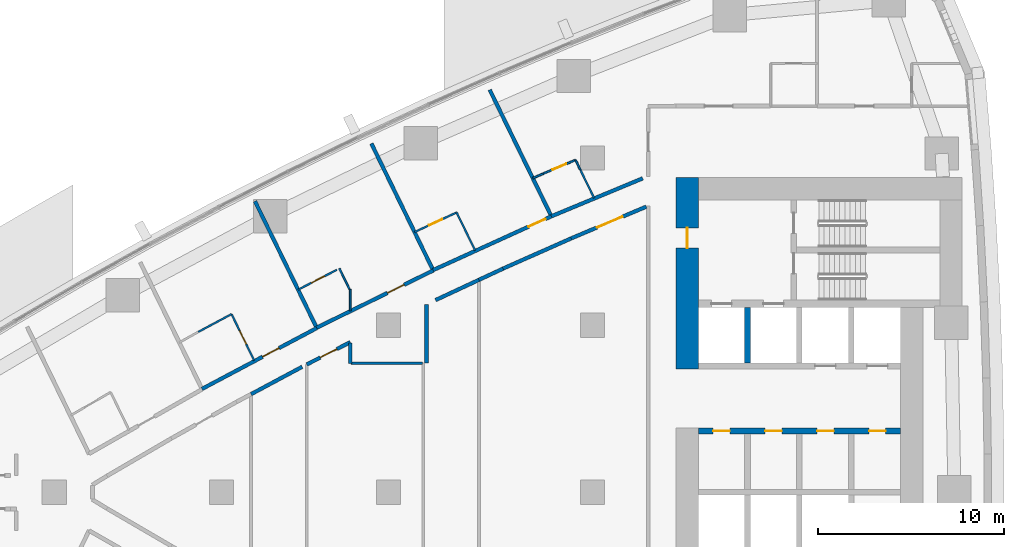
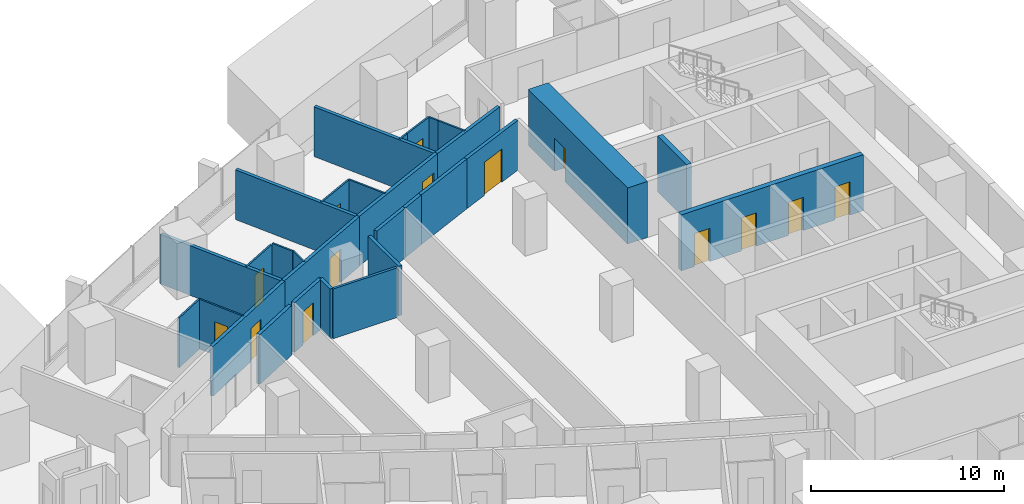
# One storey, part 12 of 19: 30 walls, 14 doors, 14 openings.
"""IFC4 building model written with IfcOpenShell, lengths in metres."""

from ifc_helpers import new_model, si_unit, direction, frame, frame_2d, origin, place, context, subcontext, project, spatial, rectangle, extrude, material, layer, layer_set, type_object, element, fill, save


model = new_model("IFC4")

# Units and contexts
model_context = context("Model", 3, precision=1e-05, world=origin(), true_north=direction((0.0, 1.0)))
body_context = subcontext(model_context, "Body", "Model", "MODEL_VIEW")
ifc_project = project(units=[si_unit("LENGTHUNIT", "METRE"), si_unit("AREAUNIT", "SQUARE_METRE"), si_unit("VOLUMEUNIT", "CUBIC_METRE"), si_unit("PLANEANGLEUNIT", "RADIAN"), si_unit("MASSUNIT", "GRAM", prefix="KILO")], contexts=[model_context])

# Site, building, storey
site_placement = place(None, origin())
site = spatial("IfcSite", under=ifc_project, at=site_placement, CompositionType="ELEMENT")
building_placement = place(site_placement, origin())
building = spatial("IfcBuilding", under=site, at=building_placement, Name="Ostrand Prow Hotel Tower", CompositionType="ELEMENT")
storey_placement = place(building_placement, frame((0.0, 0.0, 71.550048828125)))
storey = spatial("IfcBuildingStorey", under=building, at=storey_placement, Name="L16", CompositionType="ELEMENT", Elevation=71.550048828125)

# Wall, opening, door
ifc_material_1 = material(Name="Concrete C80/95", Category="concrete")
ifc_layer_1 = layer(ifc_material_1, 1.199951171875)
ifc_layer_set_1 = layer_set([ifc_layer_1], Name="Concrete C80/95")
wall_type_1 = type_object("IfcWallType", Name="Core wall 1200 C80/95", PredefinedType="SHEAR", material=ifc_layer_set_1)
wall_1_placement = place(storey_placement, frame((50.10009765625, 6.64990234375, 0.0), z_axis=(0.0, 0.0, 1.0), x_axis=(0.0, 1.0, 0.0)))
wall_1 = element("IfcWall", 1, at=wall_1_placement, inside=storey, type_object=wall_type_1, Name="Core wall CW-W-N", PredefinedType="SHEAR", context=body_context, shape_type="SweptSolid", body=[
    extrude(rectangle(XDim=10.300048828125, YDim=1.199951171875, at=frame_2d((5.14990234375, 0.0))), origin(), (0.0, 0.0, 1.0), 3.550048828125),
])
opening_1_placement = place(wall_1_placement, frame((6.5, 0.0, 0.0)))
opening_1 = element("IfcOpeningElement", 2, at=opening_1_placement, cuts=wall_1, Name="Opening FD1", PredefinedType="OPENING", context=body_context, shape_type="SweptSolid", body=[
    extrude(rectangle(XDim=1.10009765625, YDim=2.10009765625, at=frame_2d((0.550048828125, 1.050048828125))), frame((0.0, 0.60986328125, 0.0), z_axis=(0.0, -1.0, 0.0), x_axis=(1.0, 0.0, 0.0)), (0.0, 0.0, 1.0), 1.219970703125),
])
ifc_material_2 = material(Name="Steel fire door", Category="steel")
door_type_1 = type_object("IfcDoorType", Name="Fire door 1100 EI120", OperationType="SINGLE_SWING_RIGHT", PredefinedType="DOOR", material=ifc_material_2)
door_1_placement = place(opening_1_placement, origin())
door_1 = element("IfcDoor", 3, at=door_1_placement, inside=storey, type_object=door_type_1, Name="FIRE DOOR", OperationType="SINGLE_SWING_RIGHT", OverallHeight=2.10009765625, OverallWidth=1.10009765625, PredefinedType="DOOR", context=body_context, shape_type="SweptSolid", body=[
    extrude(rectangle(XDim=1.10009765625, YDim=2.10009765625, at=frame_2d((0.550048828125, 1.050048828125))), frame((0.0, 0.02490234375, 0.0), z_axis=(0.0, -1.0, 0.0), x_axis=(1.0, 0.0, 0.0)), (0.0, 0.0, 1.0), 0.050048828125),
])
fill(opening_1, door_1)

# Wall, openings, doors
ifc_material_3 = material(Name="Concrete C80/95", Category="concrete")
ifc_layer_2 = layer(ifc_material_3, 0.300048828125)
ifc_layer_set_2 = layer_set([ifc_layer_2], Name="Concrete C80/95")
wall_type_2 = type_object("IfcWallType", Name="Core wall 300 C80/95", PredefinedType="SHEAR", material=ifc_layer_set_2)
wall_2_placement = place(storey_placement, frame((50.699951171875, 3.300048828125, 0.0), z_axis=(0.0, 0.0, 1.0), x_axis=(1.0, 0.0, 0.0)))
wall_2 = element("IfcWall", 4, at=wall_2_placement, inside=storey, type_object=wall_type_2, Name="Core wall PW-L1-N", PredefinedType="SHEAR", context=body_context, shape_type="SweptSolid", body=[
    extrude(rectangle(XDim=10.900146484375, YDim=0.300048828125, at=frame_2d((5.4501953125, 0.0))), origin(), (0.0, 0.0, 1.0), 3.550048828125),
])
opening_2_placement = place(wall_2_placement, frame((0.800048828125, 0.0, 0.0)))
opening_2 = element("IfcOpeningElement", 5, at=opening_2_placement, cuts=wall_2, Name="Opening FD2", PredefinedType="OPENING", context=body_context, shape_type="SweptSolid", body=[
    extrude(rectangle(XDim=0.89990234375, YDim=2.10009765625, at=frame_2d((0.449951171875, 1.050048828125))), frame((0.0, 0.159912109375, 0.0), z_axis=(0.0, -1.0, 0.0), x_axis=(1.0, 0.0, 0.0)), (0.0, 0.0, 1.0), 0.320068359375),
])
opening_3_placement = place(wall_2_placement, frame((3.60009765625, 0.0, 0.0)))
opening_3 = element("IfcOpeningElement", 6, at=opening_3_placement, cuts=wall_2, Name="Opening FD2", PredefinedType="OPENING", context=body_context, shape_type="SweptSolid", body=[
    extrude(rectangle(XDim=0.89990234375, YDim=2.10009765625, at=frame_2d((0.449951171875, 1.050048828125))), frame((0.0, 0.159912109375, 0.0), z_axis=(0.0, -1.0, 0.0), x_axis=(1.0, 0.0, 0.0)), (0.0, 0.0, 1.0), 0.320068359375),
])
opening_4_placement = place(wall_2_placement, frame((6.39990234375, 0.0, 0.0)))
opening_4 = element("IfcOpeningElement", 7, at=opening_4_placement, cuts=wall_2, Name="Opening FD2", PredefinedType="OPENING", context=body_context, shape_type="SweptSolid", body=[
    extrude(rectangle(XDim=0.89990234375, YDim=2.10009765625, at=frame_2d((0.449951171875, 1.050048828125))), frame((0.0, 0.159912109375, 0.0), z_axis=(0.0, -1.0, 0.0), x_axis=(1.0, 0.0, 0.0)), (0.0, 0.0, 1.0), 0.320068359375),
])
opening_5_placement = place(wall_2_placement, frame((9.199951171875, 0.0, 0.0)))
opening_5 = element("IfcOpeningElement", 8, at=opening_5_placement, cuts=wall_2, Name="Opening FD2", PredefinedType="OPENING", context=body_context, shape_type="SweptSolid", body=[
    extrude(rectangle(XDim=0.89990234375, YDim=2.10009765625, at=frame_2d((0.449951171875, 1.050048828125))), frame((0.0, 0.159912109375, 0.0), z_axis=(0.0, -1.0, 0.0), x_axis=(1.0, 0.0, 0.0)), (0.0, 0.0, 1.0), 0.320068359375),
])
ifc_material_4 = material(Name="Steel fire door", Category="steel")
door_type_2 = type_object("IfcDoorType", Name="Fire door 900 EI120", OperationType="SINGLE_SWING_LEFT", PredefinedType="DOOR", material=ifc_material_4)
door_2_placement = place(opening_2_placement, origin())
door_2 = element("IfcDoor", 9, at=door_2_placement, inside=storey, type_object=door_type_2, Name="DOOR", OperationType="SINGLE_SWING_LEFT", OverallHeight=2.10009765625, OverallWidth=0.89990234375, PredefinedType="DOOR", context=body_context, shape_type="SweptSolid", body=[
    extrude(rectangle(XDim=0.89990234375, YDim=2.10009765625, at=frame_2d((0.449951171875, 1.050048828125))), frame((0.0, 0.02490234375, 0.0), z_axis=(0.0, -1.0, 0.0), x_axis=(1.0, 0.0, 0.0)), (0.0, 0.0, 1.0), 0.050048828125),
])
fill(opening_2, door_2)
door_3_placement = place(opening_3_placement, origin())
door_3 = element("IfcDoor", 10, at=door_3_placement, inside=storey, type_object=door_type_2, Name="DOOR", OperationType="SINGLE_SWING_LEFT", OverallHeight=2.10009765625, OverallWidth=0.89990234375, PredefinedType="DOOR", context=body_context, shape_type="SweptSolid", body=[
    extrude(rectangle(XDim=0.89990234375, YDim=2.10009765625, at=frame_2d((0.449951171875, 1.050048828125))), frame((0.0, 0.02490234375, 0.0), z_axis=(0.0, -1.0, 0.0), x_axis=(1.0, 0.0, 0.0)), (0.0, 0.0, 1.0), 0.050048828125),
])
fill(opening_3, door_3)
door_4_placement = place(opening_4_placement, origin())
door_4 = element("IfcDoor", 11, at=door_4_placement, inside=storey, type_object=door_type_2, Name="DOOR", OperationType="SINGLE_SWING_LEFT", OverallHeight=2.10009765625, OverallWidth=0.89990234375, PredefinedType="DOOR", context=body_context, shape_type="SweptSolid", body=[
    extrude(rectangle(XDim=0.89990234375, YDim=2.10009765625, at=frame_2d((0.449951171875, 1.050048828125))), frame((0.0, 0.02490234375, 0.0), z_axis=(0.0, -1.0, 0.0), x_axis=(1.0, 0.0, 0.0)), (0.0, 0.0, 1.0), 0.050048828125),
])
fill(opening_4, door_4)
door_5_placement = place(opening_5_placement, origin())
door_5 = element("IfcDoor", 12, at=door_5_placement, inside=storey, type_object=door_type_2, Name="DOOR", OperationType="SINGLE_SWING_LEFT", OverallHeight=2.10009765625, OverallWidth=0.89990234375, PredefinedType="DOOR", context=body_context, shape_type="SweptSolid", body=[
    extrude(rectangle(XDim=0.89990234375, YDim=2.10009765625, at=frame_2d((0.449951171875, 1.050048828125))), frame((0.0, 0.02490234375, 0.0), z_axis=(0.0, -1.0, 0.0), x_axis=(1.0, 0.0, 0.0)), (0.0, 0.0, 1.0), 0.050048828125),
])
fill(opening_5, door_5)

# Walls
wall_3_placement = place(storey_placement, frame((53.35009765625, 6.949951171875, 0.0), z_axis=(0.0, 0.0, 1.0), x_axis=(0.0, 1.0, 0.0)))
element("IfcWall", 13, at=wall_3_placement, inside=storey, type_object=wall_type_2, Name="Core wall PW-R1-NA", PredefinedType="SHEAR", context=body_context, shape_type="SweptSolid", body=[
    extrude(rectangle(XDim=3.0, YDim=0.300048828125, at=frame_2d((1.5, 0.0))), origin(), (0.0, 0.0, 1.0), 3.550048828125),
])
ifc_material_5 = material(Name="Plasterboard partition")
ifc_layer_3 = layer(ifc_material_5, 0.10009765625)
ifc_layer_set_3 = layer_set([ifc_layer_3], Name="Plasterboard partition")
wall_type_3 = type_object("IfcWallType", Name="Partition 100 bathroom wall", PredefinedType="PARTITIONING", material=ifc_layer_set_3)
wall_4_placement = place(storey_placement, frame((23.7529296875, 8.635498046875, 0.0), z_axis=(0.0, 0.0, 1.0), x_axis=(0.881675736231, 0.471855800156, 0.0)))
element("IfcWall", 14, at=wall_4_placement, inside=storey, type_object=wall_type_3, Name="BATHROOM WALL", PredefinedType="PARTITIONING", context=body_context, shape_type="SweptSolid", body=[
    extrude(rectangle(XDim=2.03857421875, YDim=0.10009765625, at=frame_2d((1.019287109375, 0.0))), origin(), (0.0, 0.0, 1.0), 3.14990234375),
])

# Wall, opening, door
wall_5_placement = place(storey_placement, frame((25.55029296875, 9.597412109375, 0.0), z_axis=(0.0, 0.0, 1.0), x_axis=(0.43822975423, -0.898862994292, 0.0)))
wall_5 = element("IfcWall", 15, at=wall_5_placement, inside=storey, type_object=wall_type_3, Name="BATHROOM WALL", PredefinedType="PARTITIONING", context=body_context, shape_type="SweptSolid", body=[
    extrude(rectangle(XDim=2.77880859375, YDim=0.10009765625, at=frame_2d((1.389404296875, 0.0))), origin(), (0.0, 0.0, 1.0), 3.14990234375),
])
opening_6_placement = place(wall_5_placement, frame((1.0, 0.0, 0.0)))
opening_6 = element("IfcOpeningElement", 16, at=opening_6_placement, cuts=wall_5, Name="Opening D2", PredefinedType="OPENING", context=body_context, shape_type="SweptSolid", body=[
    extrude(rectangle(XDim=0.800048828125, YDim=2.10009765625, at=frame_2d((0.39990234375, 1.050048828125))), frame((0.0, 0.06005859375, 0.0), z_axis=(0.0, -1.0, 0.0), x_axis=(1.0, 0.0, 0.0)), (0.0, 0.0, 1.0), 0.1201171875),
])
ifc_material_6 = material(Name="Timber door leaf", Category="wood")
door_type_3 = type_object("IfcDoorType", Name="Bathroom door 800", OperationType="SINGLE_SWING_LEFT", PredefinedType="DOOR", material=ifc_material_6)
door_6_placement = place(opening_6_placement, origin())
door_6 = element("IfcDoor", 17, at=door_6_placement, inside=storey, type_object=door_type_3, Name="DOOR", OperationType="SINGLE_SWING_LEFT", OverallHeight=2.10009765625, OverallWidth=0.800048828125, PredefinedType="DOOR", context=body_context, shape_type="SweptSolid", body=[
    extrude(rectangle(XDim=0.800048828125, YDim=2.10009765625, at=frame_2d((0.39990234375, 1.050048828125))), frame((0.0, 0.02490234375, 0.0), z_axis=(0.0, -1.0, 0.0), x_axis=(1.0, 0.0, 0.0)), (0.0, 0.0, 1.0), 0.050048828125),
])
fill(opening_6, door_6)

wall_6_placement = place(storey_placement, frame((29.13623046875, 10.91357421875, 0.0), z_axis=(0.0, 0.0, 1.0), x_axis=(0.890219804082, 0.45553122881, 0.0)))
wall_6 = element("IfcWall", 18, at=wall_6_placement, inside=storey, type_object=wall_type_3, Name="BATHROOM WALL", PredefinedType="PARTITIONING", context=body_context, shape_type="SweptSolid", body=[
    extrude(rectangle(XDim=2.3544921875, YDim=0.10009765625, at=frame_2d((1.17724609375, 0.0))), origin(), (0.0, 0.0, 1.0), 3.14990234375),
])
opening_7_placement = place(wall_6_placement, frame((0.800048828125, 0.0, 0.0)))
opening_7 = element("IfcOpeningElement", 19, at=opening_7_placement, cuts=wall_6, Name="Opening D2", PredefinedType="OPENING", context=body_context, shape_type="SweptSolid", body=[
    extrude(rectangle(XDim=0.800048828125, YDim=2.10009765625, at=frame_2d((0.39990234375, 1.050048828125))), frame((0.0, 0.06005859375, 0.0), z_axis=(0.0, -1.0, 0.0), x_axis=(1.0, 0.0, 0.0)), (0.0, 0.0, 1.0), 0.1201171875),
])
door_7_placement = place(opening_7_placement, origin())
door_7 = element("IfcDoor", 20, at=door_7_placement, inside=storey, type_object=door_type_3, Name="DOOR", OperationType="SINGLE_SWING_LEFT", OverallHeight=2.10009765625, OverallWidth=0.800048828125, PredefinedType="DOOR", context=body_context, shape_type="SweptSolid", body=[
    extrude(rectangle(XDim=0.800048828125, YDim=2.10009765625, at=frame_2d((0.39990234375, 1.050048828125))), frame((0.0, 0.02490234375, 0.0), z_axis=(0.0, -1.0, 0.0), x_axis=(1.0, 0.0, 0.0)), (0.0, 0.0, 1.0), 0.050048828125),
])
fill(opening_7, door_7)

# Wall
wall_7_placement = place(storey_placement, frame((31.36328125, 12.05029296875, 0.0), z_axis=(0.0, 0.0, 1.0), x_axis=(0.438356099343, -0.898801385273, 0.0)))
element("IfcWall", 21, at=wall_7_placement, inside=storey, type_object=wall_type_3, Name="BATHROOM WALL", PredefinedType="PARTITIONING", context=body_context, shape_type="SweptSolid", body=[
    extrude(rectangle(XDim=1.281982421875, YDim=0.10009765625, at=frame_2d((0.64111328125, 0.0))), origin(), (0.0, 0.0, 1.0), 3.14990234375),
])

# Wall, opening, door
wall_8_placement = place(storey_placement, frame((35.410888671875, 14.01708984375, 0.0), z_axis=(0.0, 0.0, 1.0), x_axis=(0.906317797926, 0.422596792655, 0.0)))
wall_8 = element("IfcWall", 22, at=wall_8_placement, inside=storey, type_object=wall_type_3, Name="BATHROOM WALL", PredefinedType="PARTITIONING", context=body_context, shape_type="SweptSolid", body=[
    extrude(rectangle(XDim=2.500244140625, YDim=0.10009765625, at=frame_2d((1.25, 0.0))), origin(), (0.0, 0.0, 1.0), 3.14990234375),
])
opening_8_placement = place(wall_8_placement, frame((0.85009765625, 0.0, 0.0)))
opening_8 = element("IfcOpeningElement", 23, at=opening_8_placement, cuts=wall_8, Name="Opening D2", PredefinedType="OPENING", context=body_context, shape_type="SweptSolid", body=[
    extrude(rectangle(XDim=0.800048828125, YDim=2.10009765625, at=frame_2d((0.39990234375, 1.050048828125))), frame((0.0, 0.06005859375, 0.0), z_axis=(0.0, -1.0, 0.0), x_axis=(1.0, 0.0, 0.0)), (0.0, 0.0, 1.0), 0.1201171875),
])
door_8_placement = place(opening_8_placement, origin())
door_8 = element("IfcDoor", 24, at=door_8_placement, inside=storey, type_object=door_type_3, Name="DOOR", OperationType="SINGLE_SWING_LEFT", OverallHeight=2.10009765625, OverallWidth=0.800048828125, PredefinedType="DOOR", context=body_context, shape_type="SweptSolid", body=[
    extrude(rectangle(XDim=0.800048828125, YDim=2.10009765625, at=frame_2d((0.39990234375, 1.050048828125))), frame((0.0, 0.02490234375, 0.0), z_axis=(0.0, -1.0, 0.0), x_axis=(1.0, 0.0, 0.0)), (0.0, 0.0, 1.0), 0.050048828125),
])
fill(opening_8, door_8)

# Walls
wall_9_placement = place(storey_placement, frame((37.677001953125, 15.073486328125, 0.0), z_axis=(0.0, 0.0, 1.0), x_axis=(0.43818492173, -0.89888485045, 0.0)))
element("IfcWall", 25, at=wall_9_placement, inside=storey, type_object=wall_type_3, Name="BATHROOM WALL", PredefinedType="PARTITIONING", context=body_context, shape_type="SweptSolid", body=[
    extrude(rectangle(XDim=2.277099609375, YDim=0.10009765625, at=frame_2d((1.138671875, 0.0))), origin(), (0.0, 0.0, 1.0), 3.14990234375),
])
wall_10_placement = place(storey_placement, frame((41.7841796875, 16.917724609375, 0.0), z_axis=(0.0, 0.0, 1.0), x_axis=(0.913894320415, 0.405952178357, 0.0)))
element("IfcWall", 26, at=wall_10_placement, inside=storey, type_object=wall_type_3, Name="BATHROOM WALL", PredefinedType="PARTITIONING", context=body_context, shape_type="SweptSolid", body=[
    extrude(rectangle(XDim=0.60791015625, YDim=0.10009765625, at=frame_2d((0.303955078125, 0.0))), origin(), (0.0, 0.0, 1.0), 3.14990234375),
])

# Wall, opening, door
wall_11_placement = place(storey_placement, frame((42.340087890625, 17.16455078125, 0.0), z_axis=(0.0, 0.0, 1.0), x_axis=(0.921263923232, 0.38893802045, 0.0)))
wall_11 = element("IfcWall", 27, at=wall_11_placement, inside=storey, type_object=wall_type_3, Name="BATHROOM WALL", PredefinedType="PARTITIONING", context=body_context, shape_type="SweptSolid", body=[
    extrude(rectangle(XDim=1.89501953125, YDim=0.10009765625, at=frame_2d((0.947509765625, 0.0))), origin(), (0.0, 0.0, 1.0), 3.14990234375),
])
opening_9_placement = place(wall_11_placement, frame((0.550048828125, 0.0, 0.0)))
opening_9 = element("IfcOpeningElement", 28, at=opening_9_placement, cuts=wall_11, Name="Opening D2", PredefinedType="OPENING", context=body_context, shape_type="SweptSolid", body=[
    extrude(rectangle(XDim=0.800048828125, YDim=2.10009765625, at=frame_2d((0.39990234375, 1.050048828125))), frame((0.0, 0.06005859375, 0.0), z_axis=(0.0, -1.0, 0.0), x_axis=(1.0, 0.0, 0.0)), (0.0, 0.0, 1.0), 0.1201171875),
])
door_9_placement = place(opening_9_placement, origin())
door_9 = element("IfcDoor", 29, at=door_9_placement, inside=storey, type_object=door_type_3, Name="DOOR", OperationType="SINGLE_SWING_LEFT", OverallHeight=2.10009765625, OverallWidth=0.800048828125, PredefinedType="DOOR", context=body_context, shape_type="SweptSolid", body=[
    extrude(rectangle(XDim=0.800048828125, YDim=2.10009765625, at=frame_2d((0.39990234375, 1.050048828125))), frame((0.0, 0.02490234375, 0.0), z_axis=(0.0, -1.0, 0.0), x_axis=(1.0, 0.0, 0.0)), (0.0, 0.0, 1.0), 0.050048828125),
])
fill(opening_9, door_9)

# Walls
wall_12_placement = place(storey_placement, frame((44.0859375, 17.901611328125, 0.0), z_axis=(0.0, 0.0, 1.0), x_axis=(0.438279975423, -0.898838507822, 0.0)))
element("IfcWall", 30, at=wall_12_placement, inside=storey, type_object=wall_type_3, Name="BATHROOM WALL", PredefinedType="PARTITIONING", context=body_context, shape_type="SweptSolid", body=[
    extrude(rectangle(XDim=0.602783203125, YDim=0.10009765625, at=frame_2d((0.30126953125, 0.0))), origin(), (0.0, 0.0, 1.0), 3.14990234375),
])
wall_13_placement = place(storey_placement, frame((44.354736328125, 17.35009765625, 0.0), z_axis=(0.0, 0.0, 1.0), x_axis=(0.438227394636, -0.89886414468, 0.0)))
element("IfcWall", 31, at=wall_13_placement, inside=storey, type_object=wall_type_3, Name="BATHROOM WALL", PredefinedType="PARTITIONING", context=body_context, shape_type="SweptSolid", body=[
    extrude(rectangle(XDim=1.6669921875, YDim=0.10009765625, at=frame_2d((0.83349609375, 0.0))), origin(), (0.0, 0.0, 1.0), 3.14990234375),
])
wall_14_placement = place(storey_placement, frame((31.945068359375, 10.92578125, 0.0), z_axis=(0.0, 0.0, 1.0), x_axis=(0.0, -1.0, 0.0)))
element("IfcWall", 32, at=wall_14_placement, inside=storey, type_object=wall_type_3, Name="BATHROOM WALL", PredefinedType="PARTITIONING", context=body_context, shape_type="SweptSolid", body=[
    extrude(rectangle(XDim=1.15283203125, YDim=0.10009765625, at=frame_2d((0.576416015625, 0.0))), origin(), (0.0, 0.0, 1.0), 3.14990234375),
])
ifc_material_7 = material(Name="Plasterboard partition")
ifc_layer_4 = layer(ifc_material_7, 0.14990234375)
ifc_layer_set_4 = layer_set([ifc_layer_4], Name="Plasterboard partition")
wall_type_4 = type_object("IfcWallType", Name="Partition 150 room partition", PredefinedType="PARTITIONING", material=ifc_layer_set_4)
wall_15_placement = place(storey_placement, frame((31.988525390625, 6.9453125, 0.0), z_axis=(0.0, 0.0, 1.0), x_axis=(0.999999997987, -6.3451777e-05, 0.0)))
element("IfcWall", 33, at=wall_15_placement, inside=storey, type_object=wall_type_4, Name="ROOM PARTITION", PredefinedType="PARTITIONING", context=body_context, shape_type="SweptSolid", body=[
    extrude(rectangle(XDim=3.84765625, YDim=0.14990234375, at=frame_2d((1.923828125, 0.0))), origin(), (0.0, 0.0, 1.0), 3.14990234375),
])

# Wall, opening, door
ifc_material_8 = material(Name="Plasterboard partition")
ifc_layer_5 = layer(ifc_material_8, 0.199951171875)
ifc_layer_set_5 = layer_set([ifc_layer_5], Name="Plasterboard partition")
wall_type_5 = type_object("IfcWallType", Name="Partition 200 corridor wall", PredefinedType="PARTITIONING", material=ifc_layer_set_5)
wall_16_placement = place(storey_placement, frame((23.95654296875, 5.564208984375, 0.0), z_axis=(0.0, 0.0, 1.0), x_axis=(0.883455325405, 0.468515408513, 0.0)))
wall_16 = element("IfcWall", 34, at=wall_16_placement, inside=storey, type_object=wall_type_5, Name="CORRIDOR WALL", PredefinedType="PARTITIONING", context=body_context, shape_type="SweptSolid", body=[
    extrude(rectangle(XDim=7.00390625, YDim=0.199951171875, at=frame_2d((3.501953125, 0.0))), origin(), (0.0, 0.0, 1.0), 3.14990234375),
])
opening_10_placement = place(wall_16_placement, frame((3.699951171875, 0.0, 0.0)))
opening_10 = element("IfcOpeningElement", 35, at=opening_10_placement, cuts=wall_16, Name="Opening D1", PredefinedType="OPENING", context=body_context, shape_type="SweptSolid", body=[
    extrude(rectangle(XDim=1.0, YDim=2.10009765625, at=frame_2d((0.5, 1.050048828125))), frame((0.0, 0.10986328125, 0.0), z_axis=(0.0, -1.0, 0.0), x_axis=(1.0, 0.0, 0.0)), (0.0, 0.0, 1.0), 0.219970703125),
])
ifc_material_9 = material(Name="Timber door leaf", Category="wood")
door_type_4 = type_object("IfcDoorType", Name="Guest room door 1000", OperationType="SINGLE_SWING_LEFT", PredefinedType="DOOR", material=ifc_material_9)
door_10_placement = place(opening_10_placement, origin())
door_10 = element("IfcDoor", 36, at=door_10_placement, inside=storey, type_object=door_type_4, Name="DOOR", OperationType="SINGLE_SWING_LEFT", OverallHeight=2.10009765625, OverallWidth=1.0, PredefinedType="DOOR", context=body_context, shape_type="SweptSolid", body=[
    extrude(rectangle(XDim=1.0, YDim=2.10009765625, at=frame_2d((0.5, 1.050048828125))), frame((0.0, 0.02490234375, 0.0), z_axis=(0.0, -1.0, 0.0), x_axis=(1.0, 0.0, 0.0)), (0.0, 0.0, 1.0), 0.050048828125),
])
fill(opening_10, door_10)

wall_17_placement = place(storey_placement, frame((30.135498046875, 8.86376953125, 0.0), z_axis=(0.0, 0.0, 1.0), x_axis=(0.897599118183, 0.44081268475, 0.0)))
wall_17 = element("IfcWall", 37, at=wall_17_placement, inside=storey, type_object=wall_type_5, Name="CORRIDOR WALL", PredefinedType="PARTITIONING", context=body_context, shape_type="SweptSolid", body=[
    extrude(rectangle(XDim=7.0, YDim=0.199951171875, at=frame_2d((3.5, 0.0))), origin(), (0.0, 0.0, 1.0), 3.14990234375),
])
opening_11_placement = place(wall_17_placement, frame((4.25, 0.0, 0.0)))
opening_11 = element("IfcOpeningElement", 38, at=opening_11_placement, cuts=wall_17, Name="Opening D1", PredefinedType="OPENING", context=body_context, shape_type="SweptSolid", body=[
    extrude(rectangle(XDim=1.0, YDim=2.10009765625, at=frame_2d((0.5, 1.050048828125))), frame((0.0, 0.10986328125, 0.0), z_axis=(0.0, -1.0, 0.0), x_axis=(1.0, 0.0, 0.0)), (0.0, 0.0, 1.0), 0.219970703125),
])
door_11_placement = place(opening_11_placement, origin())
door_11 = element("IfcDoor", 39, at=door_11_placement, inside=storey, type_object=door_type_4, Name="DOOR", OperationType="SINGLE_SWING_LEFT", OverallHeight=2.10009765625, OverallWidth=1.0, PredefinedType="DOOR", context=body_context, shape_type="SweptSolid", body=[
    extrude(rectangle(XDim=1.0, YDim=2.10009765625, at=frame_2d((0.5, 1.050048828125))), frame((0.0, 0.02490234375, 0.0), z_axis=(0.0, -1.0, 0.0), x_axis=(1.0, 0.0, 0.0)), (0.0, 0.0, 1.0), 0.050048828125),
])
fill(opening_11, door_11)

wall_18_placement = place(storey_placement, frame((42.783935546875, 14.8671875, 0.0), z_axis=(0.0, 0.0, 1.0), x_axis=(-0.910238677692, -0.414083988622, 0.0)))
wall_18 = element("IfcWall", 40, at=wall_18_placement, inside=storey, type_object=wall_type_5, Name="CORRIDOR WALL", PredefinedType="PARTITIONING", context=body_context, shape_type="SweptSolid", body=[
    extrude(rectangle(XDim=7.002685546875, YDim=0.199951171875, at=frame_2d((3.50146484375, 0.0))), origin(), (0.0, 0.0, 1.0), 3.14990234375),
])
opening_12_placement = place(wall_18_placement, frame((0.35009765625, 0.0, 0.0)))
opening_12 = element("IfcOpeningElement", 41, at=opening_12_placement, cuts=wall_18, Name="Opening D1", PredefinedType="OPENING", context=body_context, shape_type="SweptSolid", body=[
    extrude(rectangle(XDim=1.0, YDim=2.10009765625, at=frame_2d((0.5, 1.050048828125))), frame((0.0, 0.10986328125, 0.0), z_axis=(0.0, -1.0, 0.0), x_axis=(1.0, 0.0, 0.0)), (0.0, 0.0, 1.0), 0.219970703125),
])
door_12_placement = place(opening_12_placement, origin())
door_12 = element("IfcDoor", 42, at=door_12_placement, inside=storey, type_object=door_type_4, Name="DOOR", OperationType="SINGLE_SWING_LEFT", OverallHeight=2.10009765625, OverallWidth=1.0, PredefinedType="DOOR", context=body_context, shape_type="SweptSolid", body=[
    extrude(rectangle(XDim=1.0, YDim=2.10009765625, at=frame_2d((0.5, 1.050048828125))), frame((0.0, 0.02490234375, 0.0), z_axis=(0.0, -1.0, 0.0), x_axis=(1.0, 0.0, 0.0)), (0.0, 0.0, 1.0), 0.050048828125),
])
fill(opening_12, door_12)

# Wall
wall_19_placement = place(storey_placement, frame((26.603515625, 5.283935546875, 0.0), z_axis=(0.0, 0.0, 1.0), x_axis=(0.881637943627, 0.471926409895, 0.0)))
element("IfcWall", 43, at=wall_19_placement, inside=storey, type_object=wall_type_5, Name="CORRIDOR WALL", PredefinedType="PARTITIONING", context=body_context, shape_type="SweptSolid", body=[
    extrude(rectangle(XDim=3.12353515625, YDim=0.199951171875, at=frame_2d((1.561767578125, 0.0))), origin(), (0.0, 0.0, 1.0), 3.14990234375),
])

# Wall, opening, door
wall_20_placement = place(storey_placement, frame((29.603515625, 6.884033203125, 0.0), z_axis=(0.0, 0.0, 1.0), x_axis=(0.890220210981, 0.455530433628, 0.0)))
wall_20 = element("IfcWall", 44, at=wall_20_placement, inside=storey, type_object=wall_type_5, Name="CORRIDOR WALL", PredefinedType="PARTITIONING", context=body_context, shape_type="SweptSolid", body=[
    extrude(rectangle(XDim=2.6357421875, YDim=0.199951171875, at=frame_2d((1.31787109375, 0.0))), origin(), (0.0, 0.0, 1.0), 3.14990234375),
])
opening_13_placement = place(wall_20_placement, frame((0.81787109375, 0.0, 0.0)))
opening_13 = element("IfcOpeningElement", 45, at=opening_13_placement, cuts=wall_20, Name="Opening D1", PredefinedType="OPENING", context=body_context, shape_type="SweptSolid", body=[
    extrude(rectangle(XDim=1.0, YDim=2.10009765625, at=frame_2d((0.5, 1.050048828125))), frame((0.0, 0.10986328125, 0.0), z_axis=(0.0, -1.0, 0.0), x_axis=(1.0, 0.0, 0.0)), (0.0, 0.0, 1.0), 0.219970703125),
])
door_13_placement = place(opening_13_placement, origin())
door_13 = element("IfcDoor", 46, at=door_13_placement, inside=storey, type_object=door_type_4, Name="DOOR", OperationType="SINGLE_SWING_LEFT", OverallHeight=2.10009765625, OverallWidth=1.0, PredefinedType="DOOR", context=body_context, shape_type="SweptSolid", body=[
    extrude(rectangle(XDim=1.0, YDim=2.10009765625, at=frame_2d((0.5, 1.050048828125))), frame((0.0, 0.02490234375, 0.0), z_axis=(0.0, -1.0, 0.0), x_axis=(1.0, 0.0, 0.0)), (0.0, 0.0, 1.0), 0.050048828125),
])
fill(opening_13, door_13)

# Wall
wall_21_placement = place(storey_placement, frame((36.5400390625, 10.35107421875, 0.0), z_axis=(0.0, 0.0, 1.0), x_axis=(0.906347616376, 0.422532836937, 0.0)))
element("IfcWall", 47, at=wall_21_placement, inside=storey, type_object=wall_type_5, Name="CORRIDOR WALL", PredefinedType="PARTITIONING", context=body_context, shape_type="SweptSolid", body=[
    extrude(rectangle(XDim=2.57763671875, YDim=0.199951171875, at=frame_2d((1.288818359375, 0.0))), origin(), (0.0, 0.0, 1.0), 3.14990234375),
])

# Wall, opening, door
wall_22_placement = place(storey_placement, frame((43.85009765625, 13.67724609375, 0.0), z_axis=(0.0, 0.0, 1.0), x_axis=(0.921265924084, 0.388933281068, 0.0)))
wall_22 = element("IfcWall", 48, at=wall_22_placement, inside=storey, type_object=wall_type_5, Name="CORRIDOR WALL", PredefinedType="PARTITIONING", context=body_context, shape_type="SweptSolid", body=[
    extrude(rectangle(XDim=4.39599609375, YDim=0.199951171875, at=frame_2d((2.197998046875, 0.0))), origin(), (0.0, 0.0, 1.0), 3.14990234375),
])
opening_14_placement = place(wall_22_placement, frame((1.5078125, 0.0, 0.0)))
opening_14 = element("IfcOpeningElement", 49, at=opening_14_placement, cuts=wall_22, Name="Opening D15", PredefinedType="OPENING", context=body_context, shape_type="SweptSolid", body=[
    extrude(rectangle(XDim=1.5, YDim=2.10009765625, at=frame_2d((0.75, 1.050048828125))), frame((0.0, 0.10986328125, 0.0), z_axis=(0.0, -1.0, 0.0), x_axis=(1.0, 0.0, 0.0)), (0.0, 0.0, 1.0), 0.219970703125),
])
ifc_material_10 = material(Name="Timber door leaf", Category="wood")
door_type_5 = type_object("IfcDoorType", Name="Double door 1500", OperationType="DOUBLE_DOOR_SINGLE_SWING", PredefinedType="DOOR", material=ifc_material_10)
door_14_placement = place(opening_14_placement, origin())
door_14 = element("IfcDoor", 50, at=door_14_placement, inside=storey, type_object=door_type_5, Name="DOOR", OperationType="DOUBLE_DOOR_SINGLE_SWING", OverallHeight=2.10009765625, OverallWidth=1.5, PredefinedType="DOOR", context=body_context, shape_type="SweptSolid", body=[
    extrude(rectangle(XDim=1.5, YDim=2.10009765625, at=frame_2d((0.75, 1.050048828125))), frame((0.0, 0.02490234375, 0.0), z_axis=(0.0, -1.0, 0.0), x_axis=(1.0, 0.0, 0.0)), (0.0, 0.0, 1.0), 0.050048828125),
])
fill(opening_14, door_14)

# Walls
wall_23_placement = place(storey_placement, frame((40.1796875, 12.0478515625, 0.0), z_axis=(0.0, 0.0, 1.0), x_axis=(0.913986953061, 0.405743576209, 0.0)))
element("IfcWall", 51, at=wall_23_placement, inside=storey, type_object=wall_type_5, Name="CORRIDOR WALL", PredefinedType="PARTITIONING", context=body_context, shape_type="SweptSolid", body=[
    extrude(rectangle(XDim=4.015869140625, YDim=0.199951171875, at=frame_2d((2.0078125, 0.0))), origin(), (0.0, 0.0, 1.0), 3.14990234375),
])
wall_24_placement = place(storey_placement, frame((38.876220703125, 11.440185546875, 0.0), z_axis=(0.0, 0.0, 1.0), x_axis=(0.906347874546, 0.422532283152, 0.0)))
element("IfcWall", 52, at=wall_24_placement, inside=storey, type_object=wall_type_5, Name="CORRIDOR WALL", PredefinedType="PARTITIONING", context=body_context, shape_type="SweptSolid", body=[
    extrude(rectangle(XDim=1.438232421875, YDim=0.199951171875, at=frame_2d((0.71923828125, 0.0))), origin(), (0.0, 0.0, 1.0), 3.14990234375),
])
wall_25_placement = place(storey_placement, frame((47.703857421875, 16.911376953125, 0.0), z_axis=(0.0, 0.0, 1.0), x_axis=(-0.923461497361, -0.383691103484, 0.0)))
element("IfcWall", 53, at=wall_25_placement, inside=storey, type_object=wall_type_5, Name="CORRIDOR WALL", PredefinedType="PARTITIONING", context=body_context, shape_type="SweptSolid", body=[
    extrude(rectangle(XDim=5.32763671875, YDim=0.199951171875, at=frame_2d((2.663818359375, 0.0))), origin(), (0.0, 0.0, 1.0), 3.14990234375),
])
wall_26_placement = place(storey_placement, frame((31.945068359375, 8.037353515625, 0.0), z_axis=(0.0, 0.0, 1.0), x_axis=(0.003129875123, -0.999995101929, 0.0)))
element("IfcWall", 54, at=wall_26_placement, inside=storey, type_object=wall_type_5, Name="CORRIDOR WALL", PredefinedType="PARTITIONING", context=body_context, shape_type="SweptSolid", body=[
    extrude(rectangle(XDim=1.092041015625, YDim=0.199951171875, at=frame_2d((0.5458984375, 0.0))), origin(), (0.0, 0.0, 1.0), 3.14990234375),
])
wall_27_placement = place(storey_placement, frame((36.054931640625, 6.949951171875, 0.0), z_axis=(0.0, 0.0, 1.0), x_axis=(0.0, 1.0, 0.0)))
element("IfcWall", 55, at=wall_27_placement, inside=storey, type_object=wall_type_5, Name="CORRIDOR WALL", PredefinedType="PARTITIONING", context=body_context, shape_type="SweptSolid", body=[
    extrude(rectangle(XDim=3.158447265625, YDim=0.199951171875, at=frame_2d((1.5791015625, 0.0))), origin(), (0.0, 0.0, 1.0), 3.14990234375),
])
ifc_material_11 = material(Name="Plasterboard partition")
ifc_layer_6 = layer(ifc_material_11, 0.199951171875)
ifc_layer_set_6 = layer_set([ifc_layer_6], Name="Plasterboard partition")
wall_type_6 = type_object("IfcWallType", Name="Partition 200 key partition", PredefinedType="PARTITIONING", material=ifc_layer_set_6)
wall_28_placement = place(storey_placement, frame((30.144287109375, 8.845703125, 0.0), z_axis=(0.0, 0.0, 1.0), x_axis=(-0.438185054829, 0.898884785567, 0.0)))
element("IfcWall", 56, at=wall_28_placement, inside=storey, type_object=wall_type_6, Name="KEY PARTITION", PredefinedType="PARTITIONING", context=body_context, shape_type="SweptSolid", body=[
    extrude(rectangle(XDim=7.601318359375, YDim=0.199951171875, at=frame_2d((3.80078125, 0.0))), origin(), (0.0, 0.0, 1.0), 3.14990234375),
])
wall_29_placement = place(storey_placement, frame((36.418701171875, 11.949462890625, 0.0), z_axis=(0.0, 0.0, 1.0), x_axis=(-0.438197705697, 0.898878618459, 0.0)))
element("IfcWall", 57, at=wall_29_placement, inside=storey, type_object=wall_type_6, Name="KEY PARTITION", PredefinedType="PARTITIONING", context=body_context, shape_type="SweptSolid", body=[
    extrude(rectangle(XDim=7.60107421875, YDim=0.199951171875, at=frame_2d((3.800537109375, 0.0))), origin(), (0.0, 0.0, 1.0), 3.14990234375),
])
wall_30_placement = place(storey_placement, frame((42.792724609375, 14.84912109375, 0.0), z_axis=(0.0, 0.0, 1.0), x_axis=(-0.438214892445, 0.898870239823, 0.0)))
element("IfcWall", 58, at=wall_30_placement, inside=storey, type_object=wall_type_6, Name="KEY PARTITION", PredefinedType="PARTITIONING", context=body_context, shape_type="SweptSolid", body=[
    extrude(rectangle(XDim=7.604736328125, YDim=0.199951171875, at=frame_2d((3.80224609375, 0.0))), origin(), (0.0, 0.0, 1.0), 3.14990234375),
])

save(model, "model.ifc")
